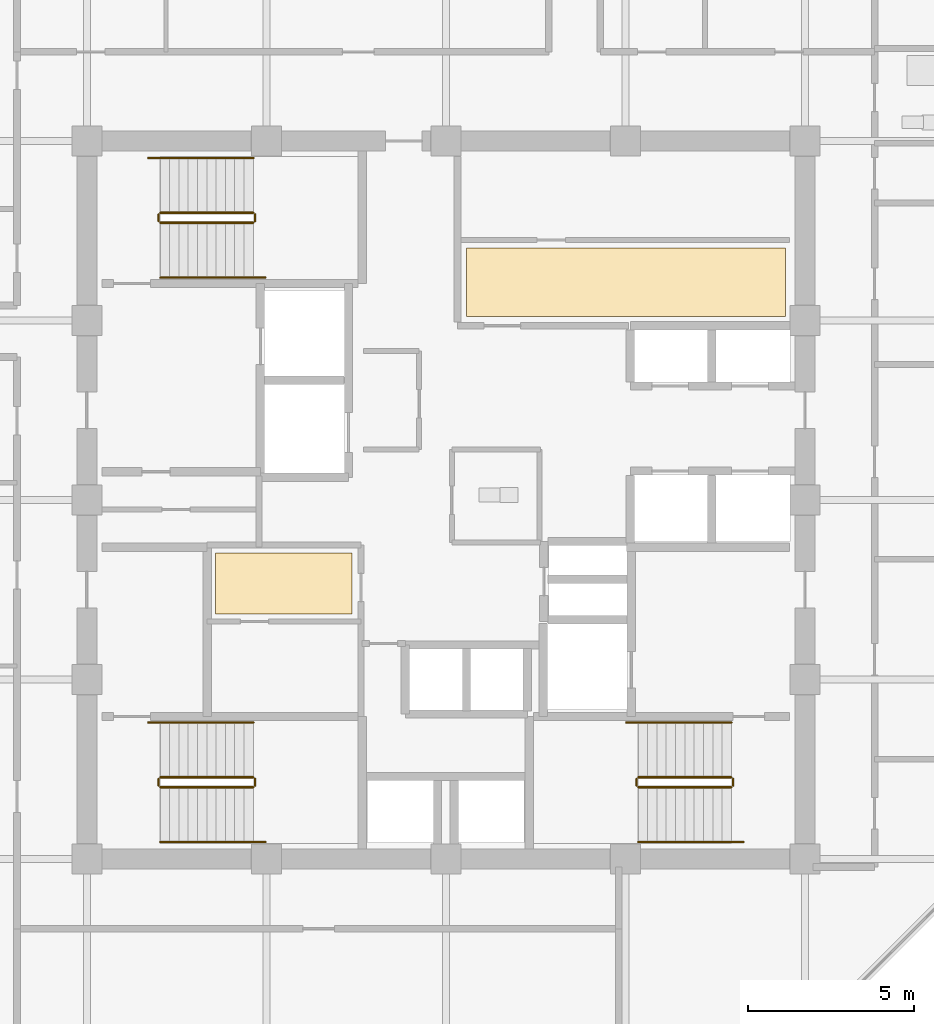
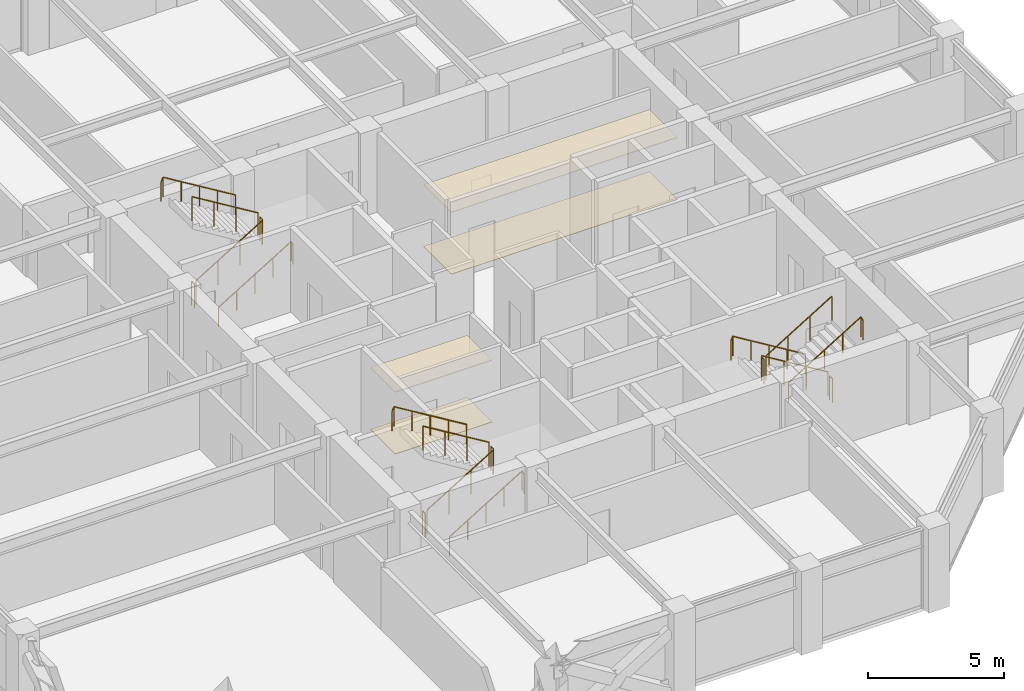
# One storey, part 30 of 31: 18 railings, 4 coverings.
"""IFC4 building model written with IfcOpenShell, lengths in metres."""

import ifcopenshell
import ifcopenshell.guid

model = None  # the IFC model being written
_history = None  # IfcOwnerHistory: only IFC2X3 demands one
_inside = {}  # id of a spatial element -> (the spatial element, [elements in it])
_under = {}  # id of a project, library or spatial element -> (it, [spatial elements below it])
_declared = {}  # id of a project -> (the project, [libraries it declares])
_typed = {}  # id of a type object -> (the type object, [elements of that type])
_made_of = {}  # id of a material, layer set ... -> (it, [elements and type objects made of it])


def new_model(schema):
    """Start an empty IFC model of exactly this schema.

    Asked for "IFC4X3", IfcOpenShell would pick the latest addendum, in which some entities
    have other attributes; the version numbers below select the first issue.
    IFC2X3 requires an IfcOwnerHistory on every rooted entity: one is made here for all.
    """
    global model, _history
    if schema == "IFC4X3":
        model = ifcopenshell.file(schema_version=(4, 3, 0, 0))
    else:
        model = ifcopenshell.file(schema=schema)
    _inside.clear()
    _under.clear()
    _declared.clear()
    _typed.clear()
    _made_of.clear()
    _history = None
    if model.schema == "IFC2X3":
        org = make("IfcOrganization", Name="unknown")
        user = make(
            "IfcPersonAndOrganization",
            ThePerson=make("IfcPerson", FamilyName="unknown"),
            TheOrganization=org,
        )
        app = make(
            "IfcApplication",
            ApplicationDeveloper=org,
            Version="unknown",
            ApplicationFullName="unknown",
            ApplicationIdentifier="unknown",
        )
        _history = make(
            "IfcOwnerHistory",
            OwningUser=user,
            OwningApplication=app,
            ChangeAction="ADDED",
            CreationDate=0,
        )
    return model


def make(cls, **values):
    """One entity of the class cls with the attributes given. An attribute that is None is left unset."""
    return model.create_entity(
        cls, **{name: value for name, value in values.items() if value is not None}
    )


def rooted(cls, **values):
    """An entity with a GlobalId (a new one), such as an element, a storey or a relation."""
    return make(cls, GlobalId=ifcopenshell.guid.new(), OwnerHistory=_history, **values)


def si_unit(unit_type, name, prefix=None):
    """IfcSIUnit, for example si_unit("LENGTHUNIT", "METRE", prefix="MILLI")."""
    return make("IfcSIUnit", UnitType=unit_type, Prefix=prefix, Name=name)


def assignment(units):
    """IfcUnitAssignment: the units of a project."""
    return None if units is None else make("IfcUnitAssignment", Units=units)


def point(xyz):
    """IfcCartesianPoint."""
    return None if xyz is None else make("IfcCartesianPoint", Coordinates=xyz)


def direction(xyz):
    """IfcDirection."""
    return None if xyz is None else make("IfcDirection", DirectionRatios=xyz)


def frame(location, z_axis=None, x_axis=None):
    """IfcAxis2Placement3D, a coordinate frame: its origin and axes. An axis left out is left unset."""
    return make(
        "IfcAxis2Placement3D",
        Location=point(location),
        Axis=direction(z_axis),
        RefDirection=direction(x_axis),
    )


def frame_2d(location, x_axis=None):
    """IfcAxis2Placement2D, a coordinate frame in the plane: its origin and x axis."""
    return make(
        "IfcAxis2Placement2D", Location=point(location), RefDirection=direction(x_axis)
    )


def origin():
    """The frame at (0, 0, 0) with its axes left unset."""
    return frame((0.0, 0.0, 0.0))


def origin_2d():
    """The frame at (0, 0) in the plane with its x axis left unset."""
    return frame_2d((0.0, 0.0))


def place(relative_to, where):
    """IfcLocalPlacement: puts the frame where relative to a parent placement (None: the world)."""
    return make(
        "IfcLocalPlacement", PlacementRelTo=relative_to, RelativePlacement=where
    )


def context(
    kind, dimensions, precision=None, world=None, true_north=None, identifier=None
):
    """IfcGeometricRepresentationContext, for example the 3D "Model" context."""
    return make(
        "IfcGeometricRepresentationContext",
        ContextIdentifier=identifier,
        ContextType=kind,
        CoordinateSpaceDimension=dimensions,
        Precision=precision,
        WorldCoordinateSystem=world,
        TrueNorth=true_north,
    )


def subcontext(parent, identifier, kind, view, scale=None):
    """IfcGeometricRepresentationSubContext, for example "Body" below "Model"."""
    return make(
        "IfcGeometricRepresentationSubContext",
        ContextIdentifier=identifier,
        ContextType=kind,
        ParentContext=parent,
        TargetScale=scale,
        TargetView=view,
    )


def project(units=None, contexts=None):
    """IfcProject with its units and contexts."""
    return rooted(
        "IfcProject",
        Name="project",
        RepresentationContexts=contexts,
        UnitsInContext=assignment(units),
    )


def spatial(cls, under=None, at=None, **own):
    """A site, building, storey or space (cls), placed at a placement, below another one or the project."""
    s = rooted(cls, ObjectPlacement=at, **own)
    if under is not None:
        _under.setdefault(under.id(), (under, []))[1].append(s)
    return s


def polyline(points):
    """IfcPolyline through the points."""
    return make("IfcPolyline", Points=[point(p) for p in points])


def profile(cls, at=None, kind="AREA", **sizes):
    """A parametric profile (cls). Its sizes go by their IFC names, for example OverallWidth=200.0."""
    return make(cls, ProfileType=kind, Position=at, **sizes)


def circle(**sizes):
    """IfcCircleProfileDef."""
    return profile("IfcCircleProfileDef", **sizes)


def outline(outer, holes=None, kind="AREA"):
    """IfcArbitraryClosedProfileDef: a profile drawn as a closed curve; with holes, ...WithVoids."""
    if holes is None:
        return make("IfcArbitraryClosedProfileDef", ProfileType=kind, OuterCurve=outer)
    return make(
        "IfcArbitraryProfileDefWithVoids",
        ProfileType=kind,
        OuterCurve=outer,
        InnerCurves=holes,
    )


def extrude(swept, where, along, depth):
    """IfcExtrudedAreaSolid: the profile swept, set in the frame where, extruded along a direction by depth."""
    return make(
        "IfcExtrudedAreaSolid",
        SweptArea=swept,
        Position=where,
        ExtrudedDirection=direction(along),
        Depth=depth,
    )


def shape(context_of_items, identifier, shape_type, items):
    """IfcShapeRepresentation: the items that make up one representation, for example the "Body"."""
    return make(
        "IfcShapeRepresentation",
        ContextOfItems=context_of_items,
        RepresentationIdentifier=identifier,
        RepresentationType=shape_type,
        Items=items,
    )


def material(Name=None, Category=None):
    """IfcMaterial."""
    return make("IfcMaterial", Name=Name, Category=Category)


def layer(
    of_material, thickness, ventilated=None, Name=None, Category=None, Priority=None
):
    """IfcMaterialLayer: one layer of a wall or slab, of a material (None: an air gap)."""
    return make(
        "IfcMaterialLayer",
        Material=of_material,
        LayerThickness=thickness,
        IsVentilated=ventilated,
        Name=Name,
        Category=Category,
        Priority=Priority,
    )


def layer_set(layers, Name=None):
    """IfcMaterialLayerSet."""
    return make("IfcMaterialLayerSet", MaterialLayers=layers, LayerSetName=Name)


def made_of(thing, what):
    """Note that an element or type object is made of a material, layer set ...; save() writes the relation."""
    if what is not None:
        _made_of.setdefault(what.id(), (what, []))[1].append(thing)
    return thing


def type_object(cls, material=None, **own):
    """A type object (cls), such as IfcWallType, which elements share."""
    return made_of(rooted(cls, **own), material)


def element(
    cls,
    number,
    at=None,
    inside=None,
    cuts=None,
    type_object=None,
    material=None,
    context=None,
    identifier="Body",
    shape_type=None,
    held_by="IfcProductDefinitionShape",
    body=None,
    shapes=None,
    **own,
):
    """One element of the class cls, such as IfcWall. Its Tag is "e" and its number.

    at: its placement. inside: the storey or other place that contains it. cuts: it is an
    opening in that element (IfcRelVoidsElement). A single representation is given by context,
    identifier, shape_type and body (its items); several are given by shapes. held_by: the class
    of the entity that holds the representations. save() writes the other relations.
    """
    e = rooted(cls, Tag="e%d" % number, ObjectPlacement=at, **own)
    if body is not None:
        shapes = [shape(context, identifier, shape_type, body)]
    if shapes is not None:
        e.Representation = make(held_by, Representations=shapes)
    if inside is not None:
        _inside.setdefault(inside.id(), (inside, []))[1].append(e)
    if cuts is not None:
        rooted(
            "IfcRelVoidsElement", RelatingBuildingElement=cuts, RelatedOpeningElement=e
        )
    if type_object is not None:
        _typed.setdefault(type_object.id(), (type_object, []))[1].append(e)
    return made_of(e, material)


def aggregate(whole, parts):
    """IfcRelAggregates: a whole, such as a stair, and the parts it consists of."""
    return rooted("IfcRelAggregates", RelatingObject=whole, RelatedObjects=parts)


def save(model, path):
    """Write the relations noted so far, then the file.

    IfcRelAggregates (storeys below a building ...), IfcRelContainedInSpatialStructure (elements
    in a storey), IfcRelDefinesByType, IfcRelAssociatesMaterial and IfcRelDeclares: one each for
    every whole, place, type object, material and project.
    """
    for whole, parts in _under.values():
        aggregate(whole, parts)
    for where, things in _inside.values():
        rooted(
            "IfcRelContainedInSpatialStructure",
            RelatedElements=things,
            RelatingStructure=where,
        )
    for kind, things in _typed.values():
        rooted("IfcRelDefinesByType", RelatedObjects=things, RelatingType=kind)
    for what, things in _made_of.values():
        rooted("IfcRelAssociatesMaterial", RelatedObjects=things, RelatingMaterial=what)
    for by, libraries in _declared.values():
        rooted("IfcRelDeclares", RelatingContext=by, RelatedDefinitions=libraries)
    model.write(path)


model = new_model("IFC4")

# Units and contexts
model_context = context("Model", 3, precision=1e-05, world=origin(), true_north=direction((0.0, 1.0)))
body_context = subcontext(model_context, "Body", "Model", "MODEL_VIEW")
ifc_project = project(units=[si_unit("LENGTHUNIT", "METRE"), si_unit("AREAUNIT", "SQUARE_METRE"), si_unit("VOLUMEUNIT", "CUBIC_METRE"), si_unit("PLANEANGLEUNIT", "RADIAN"), si_unit("MASSUNIT", "GRAM", prefix="KILO")], contexts=[model_context])

# Site, building, storey
site_placement = place(None, origin())
site = spatial("IfcSite", under=ifc_project, at=site_placement, CompositionType="ELEMENT")
building_placement = place(site_placement, origin())
building = spatial("IfcBuilding", under=site, at=building_placement, Name="Surkhivell Harbour Commons", CompositionType="ELEMENT")
storey_placement = place(building_placement, frame((0.0, 0.0, 193.5)))
storey = spatial("IfcBuildingStorey", under=building, at=storey_placement, Name="L50", CompositionType="ELEMENT", Elevation=193.5)

# Coverings
ifc_material_1 = material(Name="Perforated acoustic mineral-fibre ceiling tile", Category="other")
ifc_layer_1 = layer(ifc_material_1, 0.02490234375)
ifc_layer_set_1 = layer_set([ifc_layer_1], Name="Perforated acoustic mineral-fibre ceiling tile")
covering_type_1 = type_object("IfcCoveringType", Name="COV-CEIL-AC", PredefinedType="CEILING", material=ifc_layer_set_1)
covering_1_placement = place(storey_placement, frame((0.0, 0.0, 2.77490234375)))
element("IfcCovering", 1, at=covering_1_placement, inside=storey, type_object=covering_type_1, Name="L50 Suspended Acoustic Ceiling 1", PredefinedType="CEILING", context=body_context, shape_type="SweptSolid", body=[
    extrude(outline(polyline([(0.6201171875, 5.52001953125), (10.219970703125, 5.52001953125), (10.219970703125, 7.580078125), (0.6201171875, 7.580078125), (0.6201171875, 5.52001953125)])), origin(), (0.0, 0.0, 1.0), 0.025146484375),
])
ifc_material_2 = material(Name="Moisture-resistant gypsum acoustic ceiling board", Category="other")
ifc_layer_2 = layer(ifc_material_2, 0.030029296875)
ifc_layer_set_2 = layer_set([ifc_layer_2], Name="Moisture-resistant gypsum acoustic ceiling board")
covering_type_2 = type_object("IfcCoveringType", Name="COV-CEIL-GYP", PredefinedType="CEILING", material=ifc_layer_set_2)
covering_2_placement = place(storey_placement, frame((0.0, 0.0, 2.77001953125)))
element("IfcCovering", 2, at=covering_2_placement, inside=storey, type_object=covering_type_2, Name="L50 Suspended Acoustic Ceiling 2", PredefinedType="CEILING", context=body_context, shape_type="SweptSolid", body=[
    extrude(outline(polyline([(-6.929931640625, -3.429931640625), (-2.820068359375, -3.429931640625), (-2.820068359375, -1.60009765625), (-6.929931640625, -1.60009765625), (-6.929931640625, -3.429931640625)])), origin(), (0.0, 0.0, 1.0), 0.030029296875),
])
ifc_material_3 = material(Name="Engineered acoustic oak timber flooring", Category="wood")
ifc_layer_3 = layer(ifc_material_3, 0.02001953125)
ifc_layer_set_3 = layer_set([ifc_layer_3], Name="Engineered acoustic oak timber flooring")
covering_type_3 = type_object("IfcCoveringType", Name="COV-FLR-TIM", PredefinedType="FLOORING", material=ifc_layer_set_3)
covering_3_placement = place(storey_placement, origin())
element("IfcCovering", 3, at=covering_3_placement, inside=storey, type_object=covering_type_3, Name="L50 Interior Floor Finish 1", PredefinedType="FLOORING", context=body_context, shape_type="SweptSolid", body=[
    extrude(outline(polyline([(0.6201171875, 5.52001953125), (10.219970703125, 5.52001953125), (10.219970703125, 7.580078125), (0.6201171875, 7.580078125), (0.6201171875, 5.52001953125)])), origin(), (0.0, 0.0, 1.0), 0.02001953125),
])
covering_4_placement = place(storey_placement, origin())
element("IfcCovering", 4, at=covering_4_placement, inside=storey, type_object=covering_type_3, Name="L50 Interior Floor Finish 2", PredefinedType="FLOORING", context=body_context, shape_type="SweptSolid", body=[
    extrude(outline(polyline([(-6.929931640625, -3.429931640625), (-2.820068359375, -3.429931640625), (-2.820068359375, -1.60009765625), (-6.929931640625, -1.60009765625), (-6.929931640625, -3.429931640625)])), origin(), (0.0, 0.0, 1.0), 0.02001953125),
])

# Railings
ifc_material_4 = material(Name="Galvanised and painted steel S355 guard rail", Category="steel")
railing_type_1 = type_object("IfcRailingType", Name="RAL-ST-GRD1100", PredefinedType="GUARDRAIL", material=ifc_material_4)
railing_1_placement = place(storey_placement, frame((-8.590087890625, 8.340087890625, 0.17041015625)))
element("IfcRailing", 5, at=railing_1_placement, inside=storey, type_object=railing_type_1, Name="L50 ST1 stair guard 1", PredefinedType="GUARDRAIL", context=body_context, shape_type="SweptSolid", body=[
    extrude(circle(Radius=0.02392578125, at=origin_2d()), frame((0.0, 0.0, 1.076171875), z_axis=(0.854169791009, 0.0, 0.51999420009), x_axis=(0.0, 1.0, 0.0)), (0.0, 0.0, 1.0), 3.278076171875),
    extrude(circle(Radius=0.02099609375, at=origin_2d()), origin(), (0.0, 0.0, 1.0), 1.052001953125),
    extrude(circle(Radius=0.02099609375, at=origin_2d()), frame((0.933349609375, 0.0, 0.568115234375)), (0.0, 0.0, 1.0), 1.052001953125),
    extrude(circle(Radius=0.02099609375, at=origin_2d()), frame((1.86669921875, 0.0, 1.136474609375)), (0.0, 0.0, 1.0), 1.052001953125),
    extrude(circle(Radius=0.02099609375, at=origin_2d()), frame((2.800048828125, 0.0, 1.70458984375)), (0.0, 0.0, 1.0), 1.052001953125),
])
railing_2_placement = place(storey_placement, frame((-5.739990234375, 8.389892578125, 1.875)))
element("IfcRailing", 6, at=railing_2_placement, inside=storey, type_object=railing_type_1, Name="L50 ST1 stair guard 2", PredefinedType="GUARDRAIL", context=body_context, shape_type="SweptSolid", body=[
    extrude(circle(Radius=0.02392578125, at=origin_2d()), frame((0.0, 0.0, 1.076171875), z_axis=(0.0, 1.0, 0.0), x_axis=(-1.0, 0.0, 0.0)), (0.0, 0.0, 1.0), 0.2001953125),
    extrude(circle(Radius=0.02099609375, at=origin_2d()), origin(), (0.0, 0.0, 1.0), 1.052001953125),
    extrude(circle(Radius=0.02099609375, at=origin_2d()), frame((0.0, 0.2001953125, 0.0)), (0.0, 0.0, 1.0), 1.052001953125),
])
railing_3_placement = place(storey_placement, frame((-5.7900390625, 8.639892578125, 2.04541015625)))
element("IfcRailing", 7, at=railing_3_placement, inside=storey, type_object=railing_type_1, Name="L50 ST1 stair guard 3", PredefinedType="GUARDRAIL", context=body_context, shape_type="SweptSolid", body=[
    extrude(circle(Radius=0.02392578125, at=origin_2d()), frame((0.0, 0.0, 1.076171875), z_axis=(-0.854169791009, 0.0, 0.51999420009), x_axis=(0.0, -1.0, 0.0)), (0.0, 0.0, 1.0), 3.278076171875),
    extrude(circle(Radius=0.02099609375, at=origin_2d()), origin(), (0.0, 0.0, 1.0), 1.052001953125),
    extrude(circle(Radius=0.02099609375, at=origin_2d()), frame((-0.933349609375, 0.0, 0.568115234375)), (0.0, 0.0, 1.0), 1.052001953125),
    extrude(circle(Radius=0.02099609375, at=origin_2d()), frame((-1.86669921875, 0.0, 1.136474609375)), (0.0, 0.0, 1.0), 1.052001953125),
    extrude(circle(Radius=0.02099609375, at=origin_2d()), frame((-2.800048828125, 0.0, 1.70458984375)), (0.0, 0.0, 1.0), 1.052001953125),
])
railing_4_placement = place(storey_placement, frame((-8.639892578125, 8.389892578125, 0.0)))
element("IfcRailing", 8, at=railing_4_placement, inside=storey, type_object=railing_type_1, Name="L50 ST1 stair guard 4", PredefinedType="GUARDRAIL", context=body_context, shape_type="SweptSolid", body=[
    extrude(circle(Radius=0.02392578125, at=origin_2d()), frame((0.0, 0.0, 1.076171875), z_axis=(0.0, 1.0, 0.0), x_axis=(-1.0, 0.0, 0.0)), (0.0, 0.0, 1.0), 0.2001953125),
    extrude(circle(Radius=0.02099609375, at=origin_2d()), origin(), (0.0, 0.0, 1.0), 1.052001953125),
    extrude(circle(Radius=0.02099609375, at=origin_2d()), frame((0.0, 0.2001953125, 0.0)), (0.0, 0.0, 1.0), 1.052001953125),
])
railing_5_placement = place(storey_placement, frame((8.590087890625, -8.340087890625, 0.17041015625)))
element("IfcRailing", 9, at=railing_5_placement, inside=storey, type_object=railing_type_1, Name="L50 ST2 stair guard 1", PredefinedType="GUARDRAIL", context=body_context, shape_type="SweptSolid", body=[
    extrude(circle(Radius=0.02392578125, at=origin_2d()), frame((0.0, 0.0, 1.076171875), z_axis=(-0.854169791009, 0.0, 0.51999420009), x_axis=(0.0, -1.0, 0.0)), (0.0, 0.0, 1.0), 3.278076171875),
    extrude(circle(Radius=0.02099609375, at=origin_2d()), origin(), (0.0, 0.0, 1.0), 1.052001953125),
    extrude(circle(Radius=0.02099609375, at=origin_2d()), frame((-0.933349609375, 0.0, 0.568115234375)), (0.0, 0.0, 1.0), 1.052001953125),
    extrude(circle(Radius=0.02099609375, at=origin_2d()), frame((-1.86669921875, 0.0, 1.136474609375)), (0.0, 0.0, 1.0), 1.052001953125),
    extrude(circle(Radius=0.02099609375, at=origin_2d()), frame((-2.800048828125, 0.0, 1.70458984375)), (0.0, 0.0, 1.0), 1.052001953125),
])
railing_6_placement = place(storey_placement, frame((5.739990234375, -8.389892578125, 1.875)))
element("IfcRailing", 10, at=railing_6_placement, inside=storey, type_object=railing_type_1, Name="L50 ST2 stair guard 2", PredefinedType="GUARDRAIL", context=body_context, shape_type="SweptSolid", body=[
    extrude(circle(Radius=0.02392578125, at=origin_2d()), frame((0.0, 0.0, 1.076171875), z_axis=(0.0, -1.0, 0.0), x_axis=(1.0, 0.0, 0.0)), (0.0, 0.0, 1.0), 0.2001953125),
    extrude(circle(Radius=0.02099609375, at=origin_2d()), origin(), (0.0, 0.0, 1.0), 1.052001953125),
    extrude(circle(Radius=0.02099609375, at=origin_2d()), frame((0.0, -0.2001953125, 0.0)), (0.0, 0.0, 1.0), 1.052001953125),
])
railing_7_placement = place(storey_placement, frame((5.7900390625, -8.639892578125, 2.04541015625)))
element("IfcRailing", 11, at=railing_7_placement, inside=storey, type_object=railing_type_1, Name="L50 ST2 stair guard 3", PredefinedType="GUARDRAIL", context=body_context, shape_type="SweptSolid", body=[
    extrude(circle(Radius=0.02392578125, at=origin_2d()), frame((0.0, 0.0, 1.076171875), z_axis=(0.854169791009, 0.0, 0.51999420009), x_axis=(0.0, 1.0, 0.0)), (0.0, 0.0, 1.0), 3.278076171875),
    extrude(circle(Radius=0.02099609375, at=origin_2d()), origin(), (0.0, 0.0, 1.0), 1.052001953125),
    extrude(circle(Radius=0.02099609375, at=origin_2d()), frame((0.933349609375, 0.0, 0.568115234375)), (0.0, 0.0, 1.0), 1.052001953125),
    extrude(circle(Radius=0.02099609375, at=origin_2d()), frame((1.86669921875, 0.0, 1.136474609375)), (0.0, 0.0, 1.0), 1.052001953125),
    extrude(circle(Radius=0.02099609375, at=origin_2d()), frame((2.800048828125, 0.0, 1.70458984375)), (0.0, 0.0, 1.0), 1.052001953125),
])
railing_8_placement = place(storey_placement, frame((8.639892578125, -8.389892578125, 0.0)))
element("IfcRailing", 12, at=railing_8_placement, inside=storey, type_object=railing_type_1, Name="L50 ST2 stair guard 4", PredefinedType="GUARDRAIL", context=body_context, shape_type="SweptSolid", body=[
    extrude(circle(Radius=0.02392578125, at=origin_2d()), frame((0.0, 0.0, 1.076171875), z_axis=(0.0, -1.0, 0.0), x_axis=(1.0, 0.0, 0.0)), (0.0, 0.0, 1.0), 0.2001953125),
    extrude(circle(Radius=0.02099609375, at=origin_2d()), origin(), (0.0, 0.0, 1.0), 1.052001953125),
    extrude(circle(Radius=0.02099609375, at=origin_2d()), frame((0.0, -0.2001953125, 0.0)), (0.0, 0.0, 1.0), 1.052001953125),
])
railing_9_placement = place(storey_placement, frame((-8.590087890625, -8.639892578125, 0.17041015625)))
element("IfcRailing", 13, at=railing_9_placement, inside=storey, type_object=railing_type_1, Name="L50 ST3 stair guard 1", PredefinedType="GUARDRAIL", context=body_context, shape_type="SweptSolid", body=[
    extrude(circle(Radius=0.02392578125, at=origin_2d()), frame((0.0, 0.0, 1.076171875), z_axis=(0.854169791009, 0.0, 0.51999420009), x_axis=(0.0, 1.0, 0.0)), (0.0, 0.0, 1.0), 3.278076171875),
    extrude(circle(Radius=0.02099609375, at=origin_2d()), origin(), (0.0, 0.0, 1.0), 1.052001953125),
    extrude(circle(Radius=0.02099609375, at=origin_2d()), frame((0.933349609375, 0.0, 0.568115234375)), (0.0, 0.0, 1.0), 1.052001953125),
    extrude(circle(Radius=0.02099609375, at=origin_2d()), frame((1.86669921875, 0.0, 1.136474609375)), (0.0, 0.0, 1.0), 1.052001953125),
    extrude(circle(Radius=0.02099609375, at=origin_2d()), frame((2.800048828125, 0.0, 1.70458984375)), (0.0, 0.0, 1.0), 1.052001953125),
])
railing_10_placement = place(storey_placement, frame((-5.739990234375, -8.590087890625, 1.875)))
element("IfcRailing", 14, at=railing_10_placement, inside=storey, type_object=railing_type_1, Name="L50 ST3 stair guard 2", PredefinedType="GUARDRAIL", context=body_context, shape_type="SweptSolid", body=[
    extrude(circle(Radius=0.02392578125, at=origin_2d()), frame((0.0, 0.0, 1.076171875), z_axis=(0.0, 1.0, 0.0), x_axis=(-1.0, 0.0, 0.0)), (0.0, 0.0, 1.0), 0.2001953125),
    extrude(circle(Radius=0.02099609375, at=origin_2d()), origin(), (0.0, 0.0, 1.0), 1.052001953125),
    extrude(circle(Radius=0.02099609375, at=origin_2d()), frame((0.0, 0.2001953125, 0.0)), (0.0, 0.0, 1.0), 1.052001953125),
])
railing_11_placement = place(storey_placement, frame((-5.7900390625, -8.340087890625, 2.04541015625)))
element("IfcRailing", 15, at=railing_11_placement, inside=storey, type_object=railing_type_1, Name="L50 ST3 stair guard 3", PredefinedType="GUARDRAIL", context=body_context, shape_type="SweptSolid", body=[
    extrude(circle(Radius=0.02392578125, at=origin_2d()), frame((0.0, 0.0, 1.076171875), z_axis=(-0.854169791009, 0.0, 0.51999420009), x_axis=(0.0, -1.0, 0.0)), (0.0, 0.0, 1.0), 3.278076171875),
    extrude(circle(Radius=0.02099609375, at=origin_2d()), origin(), (0.0, 0.0, 1.0), 1.052001953125),
    extrude(circle(Radius=0.02099609375, at=origin_2d()), frame((-0.933349609375, 0.0, 0.568115234375)), (0.0, 0.0, 1.0), 1.052001953125),
    extrude(circle(Radius=0.02099609375, at=origin_2d()), frame((-1.86669921875, 0.0, 1.136474609375)), (0.0, 0.0, 1.0), 1.052001953125),
    extrude(circle(Radius=0.02099609375, at=origin_2d()), frame((-2.800048828125, 0.0, 1.70458984375)), (0.0, 0.0, 1.0), 1.052001953125),
])
railing_12_placement = place(storey_placement, frame((-8.639892578125, -8.590087890625, 0.0)))
element("IfcRailing", 16, at=railing_12_placement, inside=storey, type_object=railing_type_1, Name="L50 ST3 stair guard 4", PredefinedType="GUARDRAIL", context=body_context, shape_type="SweptSolid", body=[
    extrude(circle(Radius=0.02392578125, at=origin_2d()), frame((0.0, 0.0, 1.076171875), z_axis=(0.0, 1.0, 0.0), x_axis=(-1.0, 0.0, 0.0)), (0.0, 0.0, 1.0), 0.2001953125),
    extrude(circle(Radius=0.02099609375, at=origin_2d()), origin(), (0.0, 0.0, 1.0), 1.052001953125),
    extrude(circle(Radius=0.02099609375, at=origin_2d()), frame((0.0, 0.2001953125, 0.0)), (0.0, 0.0, 1.0), 1.052001953125),
])
ifc_material_5 = material(Name="Brushed stainless steel S355 handrail", Category="steel")
railing_type_2 = type_object("IfcRailingType", Name="RAL-ST-HND900", PredefinedType="HANDRAIL", material=ifc_material_5)
railing_13_placement = place(storey_placement, frame((-8.590087890625, 6.68994140625, 0.17041015625)))
element("IfcRailing", 17, at=railing_13_placement, inside=storey, type_object=railing_type_2, Name="L50 ST1 stair handrail 1", PredefinedType="HANDRAIL", context=body_context, shape_type="SweptSolid", body=[
    extrude(circle(Radius=0.02392578125, at=origin_2d()), frame((0.0, 0.0, 0.8759765625), z_axis=(0.854177636135, 0.0, 0.519981313056), x_axis=(0.0, 1.0, 0.0)), (0.0, 0.0, 1.0), 3.60595703125),
    extrude(circle(Radius=0.02392578125, at=origin_2d()), frame((3.080078125, 0.0, 2.7509765625), z_axis=(0.425297416671, 0.0, -0.905053648892), x_axis=(0.0, 1.0, 0.0)), (0.0, 0.0, 1.0), 0.188232421875),
    extrude(circle(Radius=0.02099609375, at=origin_2d()), origin(), (0.0, 0.0, 1.0), 0.851806640625),
    extrude(circle(Radius=0.02099609375, at=origin_2d()), frame((0.77001953125, 0.0, 0.46875)), (0.0, 0.0, 1.0), 0.851806640625),
    extrude(circle(Radius=0.02099609375, at=origin_2d()), frame((1.5400390625, 0.0, 0.9375)), (0.0, 0.0, 1.0), 0.851806640625),
    extrude(circle(Radius=0.02099609375, at=origin_2d()), frame((2.31005859375, 0.0, 1.40625)), (0.0, 0.0, 1.0), 0.851806640625),
    extrude(circle(Radius=0.02099609375, at=origin_2d()), frame((3.080078125, 0.0, 1.875)), (0.0, 0.0, 1.0), 0.851806640625),
    extrude(circle(Radius=0.02099609375, at=origin_2d()), frame((3.16015625, 0.0, 1.70458984375)), (0.0, 0.0, 1.0), 0.851806640625),
])
railing_14_placement = place(storey_placement, frame((-5.7900390625, 10.2900390625, 2.04541015625)))
element("IfcRailing", 18, at=railing_14_placement, inside=storey, type_object=railing_type_2, Name="L50 ST1 stair handrail 2", PredefinedType="HANDRAIL", context=body_context, shape_type="SweptSolid", body=[
    extrude(circle(Radius=0.02392578125, at=origin_2d()), frame((0.0, 0.0, 0.8759765625), z_axis=(-0.854177636135, 0.0, 0.519981313056), x_axis=(0.0, -1.0, 0.0)), (0.0, 0.0, 1.0), 3.60595703125),
    extrude(circle(Radius=0.02392578125, at=origin_2d()), frame((-3.080078125, 0.0, 2.7509765625), z_axis=(-0.424234432967, 0.0, -0.905552398199), x_axis=(0.0, -1.0, 0.0)), (0.0, 0.0, 1.0), 0.188232421875),
    extrude(circle(Radius=0.02099609375, at=origin_2d()), origin(), (0.0, 0.0, 1.0), 0.851806640625),
    extrude(circle(Radius=0.02099609375, at=origin_2d()), frame((-0.77001953125, 0.0, 0.46875)), (0.0, 0.0, 1.0), 0.851806640625),
    extrude(circle(Radius=0.02099609375, at=origin_2d()), frame((-1.5400390625, 0.0, 0.9375)), (0.0, 0.0, 1.0), 0.851806640625),
    extrude(circle(Radius=0.02099609375, at=origin_2d()), frame((-2.31005859375, 0.0, 1.40625)), (0.0, 0.0, 1.0), 0.851806640625),
    extrude(circle(Radius=0.02099609375, at=origin_2d()), frame((-3.080078125, 0.0, 1.875)), (0.0, 0.0, 1.0), 0.851806640625),
    extrude(circle(Radius=0.02099609375, at=origin_2d()), frame((-3.159912109375, 0.0, 1.70458984375)), (0.0, 0.0, 1.0), 0.851806640625),
])
railing_15_placement = place(storey_placement, frame((8.590087890625, -6.68994140625, 0.17041015625)))
element("IfcRailing", 19, at=railing_15_placement, inside=storey, type_object=railing_type_2, Name="L50 ST2 stair handrail 1", PredefinedType="HANDRAIL", context=body_context, shape_type="SweptSolid", body=[
    extrude(circle(Radius=0.02392578125, at=origin_2d()), frame((0.0, 0.0, 0.8759765625), z_axis=(-0.854177636135, 0.0, 0.519981313056), x_axis=(0.0, -1.0, 0.0)), (0.0, 0.0, 1.0), 3.60595703125),
    extrude(circle(Radius=0.02392578125, at=origin_2d()), frame((-3.080078125, 0.0, 2.7509765625), z_axis=(-0.425297416671, 0.0, -0.905053648892), x_axis=(0.0, -1.0, 0.0)), (0.0, 0.0, 1.0), 0.188232421875),
    extrude(circle(Radius=0.02099609375, at=origin_2d()), origin(), (0.0, 0.0, 1.0), 0.851806640625),
    extrude(circle(Radius=0.02099609375, at=origin_2d()), frame((-0.77001953125, 0.0, 0.46875)), (0.0, 0.0, 1.0), 0.851806640625),
    extrude(circle(Radius=0.02099609375, at=origin_2d()), frame((-1.5400390625, 0.0, 0.9375)), (0.0, 0.0, 1.0), 0.851806640625),
    extrude(circle(Radius=0.02099609375, at=origin_2d()), frame((-2.31005859375, 0.0, 1.40625)), (0.0, 0.0, 1.0), 0.851806640625),
    extrude(circle(Radius=0.02099609375, at=origin_2d()), frame((-3.080078125, 0.0, 1.875)), (0.0, 0.0, 1.0), 0.851806640625),
    extrude(circle(Radius=0.02099609375, at=origin_2d()), frame((-3.16015625, 0.0, 1.70458984375)), (0.0, 0.0, 1.0), 0.851806640625),
])
railing_16_placement = place(storey_placement, frame((5.7900390625, -10.2900390625, 2.04541015625)))
element("IfcRailing", 20, at=railing_16_placement, inside=storey, type_object=railing_type_2, Name="L50 ST2 stair handrail 2", PredefinedType="HANDRAIL", context=body_context, shape_type="SweptSolid", body=[
    extrude(circle(Radius=0.02392578125, at=origin_2d()), frame((0.0, 0.0, 0.8759765625), z_axis=(0.854177636135, 0.0, 0.519981313056), x_axis=(0.0, 1.0, 0.0)), (0.0, 0.0, 1.0), 3.60595703125),
    extrude(circle(Radius=0.02392578125, at=origin_2d()), frame((3.080078125, 0.0, 2.7509765625), z_axis=(0.424234432967, 0.0, -0.905552398199), x_axis=(0.0, 1.0, 0.0)), (0.0, 0.0, 1.0), 0.188232421875),
    extrude(circle(Radius=0.02099609375, at=origin_2d()), origin(), (0.0, 0.0, 1.0), 0.851806640625),
    extrude(circle(Radius=0.02099609375, at=origin_2d()), frame((0.77001953125, 0.0, 0.46875)), (0.0, 0.0, 1.0), 0.851806640625),
    extrude(circle(Radius=0.02099609375, at=origin_2d()), frame((1.5400390625, 0.0, 0.9375)), (0.0, 0.0, 1.0), 0.851806640625),
    extrude(circle(Radius=0.02099609375, at=origin_2d()), frame((2.31005859375, 0.0, 1.40625)), (0.0, 0.0, 1.0), 0.851806640625),
    extrude(circle(Radius=0.02099609375, at=origin_2d()), frame((3.080078125, 0.0, 1.875)), (0.0, 0.0, 1.0), 0.851806640625),
    extrude(circle(Radius=0.02099609375, at=origin_2d()), frame((3.159912109375, 0.0, 1.70458984375)), (0.0, 0.0, 1.0), 0.851806640625),
])
railing_17_placement = place(storey_placement, frame((-8.590087890625, -10.2900390625, 0.17041015625)))
element("IfcRailing", 21, at=railing_17_placement, inside=storey, type_object=railing_type_2, Name="L50 ST3 stair handrail 1", PredefinedType="HANDRAIL", context=body_context, shape_type="SweptSolid", body=[
    extrude(circle(Radius=0.02392578125, at=origin_2d()), frame((0.0, 0.0, 0.8759765625), z_axis=(0.854177636135, 0.0, 0.519981313056), x_axis=(0.0, 1.0, 0.0)), (0.0, 0.0, 1.0), 3.60595703125),
    extrude(circle(Radius=0.02392578125, at=origin_2d()), frame((3.080078125, 0.0, 2.7509765625), z_axis=(0.425297416671, 0.0, -0.905053648892), x_axis=(0.0, 1.0, 0.0)), (0.0, 0.0, 1.0), 0.188232421875),
    extrude(circle(Radius=0.02099609375, at=origin_2d()), origin(), (0.0, 0.0, 1.0), 0.851806640625),
    extrude(circle(Radius=0.02099609375, at=origin_2d()), frame((0.77001953125, 0.0, 0.46875)), (0.0, 0.0, 1.0), 0.851806640625),
    extrude(circle(Radius=0.02099609375, at=origin_2d()), frame((1.5400390625, 0.0, 0.9375)), (0.0, 0.0, 1.0), 0.851806640625),
    extrude(circle(Radius=0.02099609375, at=origin_2d()), frame((2.31005859375, 0.0, 1.40625)), (0.0, 0.0, 1.0), 0.851806640625),
    extrude(circle(Radius=0.02099609375, at=origin_2d()), frame((3.080078125, 0.0, 1.875)), (0.0, 0.0, 1.0), 0.851806640625),
    extrude(circle(Radius=0.02099609375, at=origin_2d()), frame((3.16015625, 0.0, 1.70458984375)), (0.0, 0.0, 1.0), 0.851806640625),
])
railing_18_placement = place(storey_placement, frame((-5.7900390625, -6.68994140625, 2.04541015625)))
element("IfcRailing", 22, at=railing_18_placement, inside=storey, type_object=railing_type_2, Name="L50 ST3 stair handrail 2", PredefinedType="HANDRAIL", context=body_context, shape_type="SweptSolid", body=[
    extrude(circle(Radius=0.02392578125, at=origin_2d()), frame((0.0, 0.0, 0.8759765625), z_axis=(-0.854177636135, 0.0, 0.519981313056), x_axis=(0.0, -1.0, 0.0)), (0.0, 0.0, 1.0), 3.60595703125),
    extrude(circle(Radius=0.02392578125, at=origin_2d()), frame((-3.080078125, 0.0, 2.7509765625), z_axis=(-0.424234432967, 0.0, -0.905552398199), x_axis=(0.0, -1.0, 0.0)), (0.0, 0.0, 1.0), 0.188232421875),
    extrude(circle(Radius=0.02099609375, at=origin_2d()), origin(), (0.0, 0.0, 1.0), 0.851806640625),
    extrude(circle(Radius=0.02099609375, at=origin_2d()), frame((-0.77001953125, 0.0, 0.46875)), (0.0, 0.0, 1.0), 0.851806640625),
    extrude(circle(Radius=0.02099609375, at=origin_2d()), frame((-1.5400390625, 0.0, 0.9375)), (0.0, 0.0, 1.0), 0.851806640625),
    extrude(circle(Radius=0.02099609375, at=origin_2d()), frame((-2.31005859375, 0.0, 1.40625)), (0.0, 0.0, 1.0), 0.851806640625),
    extrude(circle(Radius=0.02099609375, at=origin_2d()), frame((-3.080078125, 0.0, 1.875)), (0.0, 0.0, 1.0), 0.851806640625),
    extrude(circle(Radius=0.02099609375, at=origin_2d()), frame((-3.159912109375, 0.0, 1.70458984375)), (0.0, 0.0, 1.0), 0.851806640625),
])

save(model, "model.ifc")
